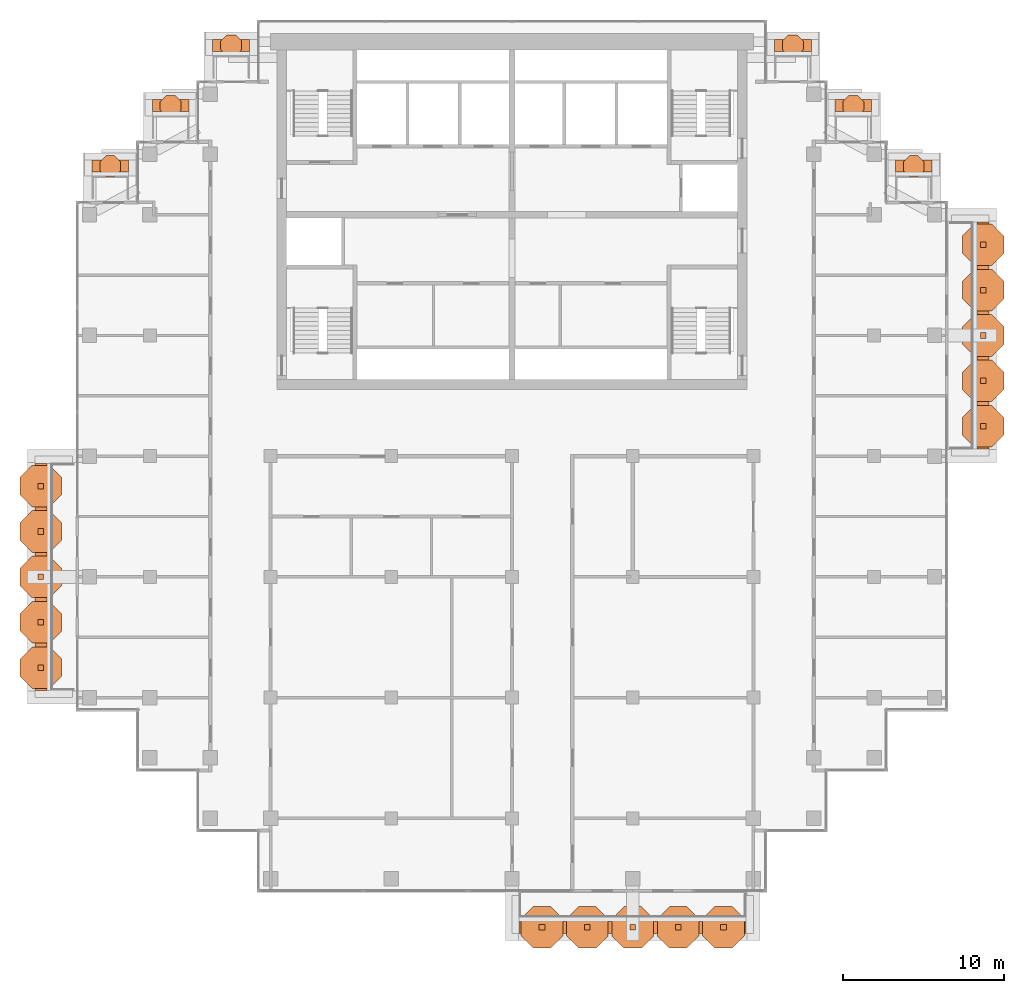
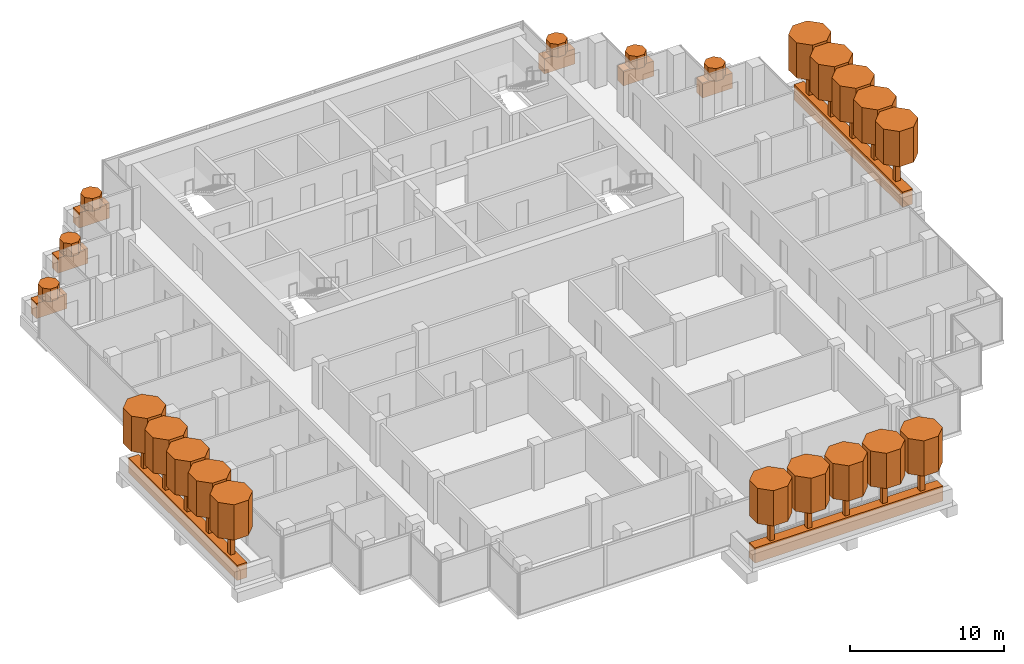
# One storey, part 19 of 19: 45 geographic elements.
"""IFC4 building model written with IfcOpenShell, lengths in metres."""

import ifcopenshell
import ifcopenshell.guid

model = None  # the IFC model being written
_history = None  # IfcOwnerHistory: only IFC2X3 demands one
_inside = {}  # id of a spatial element -> (the spatial element, [elements in it])
_under = {}  # id of a project, library or spatial element -> (it, [spatial elements below it])
_declared = {}  # id of a project -> (the project, [libraries it declares])
_typed = {}  # id of a type object -> (the type object, [elements of that type])
_made_of = {}  # id of a material, layer set ... -> (it, [elements and type objects made of it])


def new_model(schema):
    """Start an empty IFC model of exactly this schema.

    Asked for "IFC4X3", IfcOpenShell would pick the latest addendum, in which some entities
    have other attributes; the version numbers below select the first issue.
    IFC2X3 requires an IfcOwnerHistory on every rooted entity: one is made here for all.
    """
    global model, _history
    if schema == "IFC4X3":
        model = ifcopenshell.file(schema_version=(4, 3, 0, 0))
    else:
        model = ifcopenshell.file(schema=schema)
    _inside.clear()
    _under.clear()
    _declared.clear()
    _typed.clear()
    _made_of.clear()
    _history = None
    if model.schema == "IFC2X3":
        org = make("IfcOrganization", Name="unknown")
        user = make(
            "IfcPersonAndOrganization",
            ThePerson=make("IfcPerson", FamilyName="unknown"),
            TheOrganization=org,
        )
        app = make(
            "IfcApplication",
            ApplicationDeveloper=org,
            Version="unknown",
            ApplicationFullName="unknown",
            ApplicationIdentifier="unknown",
        )
        _history = make(
            "IfcOwnerHistory",
            OwningUser=user,
            OwningApplication=app,
            ChangeAction="ADDED",
            CreationDate=0,
        )
    return model


def make(cls, **values):
    """One entity of the class cls with the attributes given. An attribute that is None is left unset."""
    return model.create_entity(
        cls, **{name: value for name, value in values.items() if value is not None}
    )


def rooted(cls, **values):
    """An entity with a GlobalId (a new one), such as an element, a storey or a relation."""
    return make(cls, GlobalId=ifcopenshell.guid.new(), OwnerHistory=_history, **values)


def si_unit(unit_type, name, prefix=None):
    """IfcSIUnit, for example si_unit("LENGTHUNIT", "METRE", prefix="MILLI")."""
    return make("IfcSIUnit", UnitType=unit_type, Prefix=prefix, Name=name)


def assignment(units):
    """IfcUnitAssignment: the units of a project."""
    return None if units is None else make("IfcUnitAssignment", Units=units)


def point(xyz):
    """IfcCartesianPoint."""
    return None if xyz is None else make("IfcCartesianPoint", Coordinates=xyz)


def direction(xyz):
    """IfcDirection."""
    return None if xyz is None else make("IfcDirection", DirectionRatios=xyz)


def frame(location, z_axis=None, x_axis=None):
    """IfcAxis2Placement3D, a coordinate frame: its origin and axes. An axis left out is left unset."""
    return make(
        "IfcAxis2Placement3D",
        Location=point(location),
        Axis=direction(z_axis),
        RefDirection=direction(x_axis),
    )


def frame_2d(location, x_axis=None):
    """IfcAxis2Placement2D, a coordinate frame in the plane: its origin and x axis."""
    return make(
        "IfcAxis2Placement2D", Location=point(location), RefDirection=direction(x_axis)
    )


def origin():
    """The frame at (0, 0, 0) with its axes left unset."""
    return frame((0.0, 0.0, 0.0))


def origin_2d():
    """The frame at (0, 0) in the plane with its x axis left unset."""
    return frame_2d((0.0, 0.0))


def place(relative_to, where):
    """IfcLocalPlacement: puts the frame where relative to a parent placement (None: the world)."""
    return make(
        "IfcLocalPlacement", PlacementRelTo=relative_to, RelativePlacement=where
    )


def context(
    kind, dimensions, precision=None, world=None, true_north=None, identifier=None
):
    """IfcGeometricRepresentationContext, for example the 3D "Model" context."""
    return make(
        "IfcGeometricRepresentationContext",
        ContextIdentifier=identifier,
        ContextType=kind,
        CoordinateSpaceDimension=dimensions,
        Precision=precision,
        WorldCoordinateSystem=world,
        TrueNorth=true_north,
    )


def subcontext(parent, identifier, kind, view, scale=None):
    """IfcGeometricRepresentationSubContext, for example "Body" below "Model"."""
    return make(
        "IfcGeometricRepresentationSubContext",
        ContextIdentifier=identifier,
        ContextType=kind,
        ParentContext=parent,
        TargetScale=scale,
        TargetView=view,
    )


def project(units=None, contexts=None):
    """IfcProject with its units and contexts."""
    return rooted(
        "IfcProject",
        Name="project",
        RepresentationContexts=contexts,
        UnitsInContext=assignment(units),
    )


def spatial(cls, under=None, at=None, **own):
    """A site, building, storey or space (cls), placed at a placement, below another one or the project."""
    s = rooted(cls, ObjectPlacement=at, **own)
    if under is not None:
        _under.setdefault(under.id(), (under, []))[1].append(s)
    return s


def polyline(points):
    """IfcPolyline through the points."""
    return make("IfcPolyline", Points=[point(p) for p in points])


def profile(cls, at=None, kind="AREA", **sizes):
    """A parametric profile (cls). Its sizes go by their IFC names, for example OverallWidth=200.0."""
    return make(cls, ProfileType=kind, Position=at, **sizes)


def rectangle(**sizes):
    """IfcRectangleProfileDef."""
    return profile("IfcRectangleProfileDef", **sizes)


def outline(outer, holes=None, kind="AREA"):
    """IfcArbitraryClosedProfileDef: a profile drawn as a closed curve; with holes, ...WithVoids."""
    if holes is None:
        return make("IfcArbitraryClosedProfileDef", ProfileType=kind, OuterCurve=outer)
    return make(
        "IfcArbitraryProfileDefWithVoids",
        ProfileType=kind,
        OuterCurve=outer,
        InnerCurves=holes,
    )


def extrude(swept, where, along, depth):
    """IfcExtrudedAreaSolid: the profile swept, set in the frame where, extruded along a direction by depth."""
    return make(
        "IfcExtrudedAreaSolid",
        SweptArea=swept,
        Position=where,
        ExtrudedDirection=direction(along),
        Depth=depth,
    )


def shape(context_of_items, identifier, shape_type, items):
    """IfcShapeRepresentation: the items that make up one representation, for example the "Body"."""
    return make(
        "IfcShapeRepresentation",
        ContextOfItems=context_of_items,
        RepresentationIdentifier=identifier,
        RepresentationType=shape_type,
        Items=items,
    )


def material(Name=None, Category=None):
    """IfcMaterial."""
    return make("IfcMaterial", Name=Name, Category=Category)


def material_profile(
    of_material, cross_section, Name=None, Category=None, Priority=None
):
    """IfcMaterialProfile: a cross section and its material."""
    return make(
        "IfcMaterialProfile",
        Name=Name,
        Material=of_material,
        Profile=cross_section,
        Priority=Priority,
        Category=Category,
    )


def profile_set(profiles, Name=None, composite=None):
    """IfcMaterialProfileSet."""
    return make(
        "IfcMaterialProfileSet",
        Name=Name,
        MaterialProfiles=profiles,
        CompositeProfile=composite,
    )


def made_of(thing, what):
    """Note that an element or type object is made of a material, layer set ...; save() writes the relation."""
    if what is not None:
        _made_of.setdefault(what.id(), (what, []))[1].append(thing)
    return thing


def type_object(cls, material=None, **own):
    """A type object (cls), such as IfcWallType, which elements share."""
    return made_of(rooted(cls, **own), material)


def element(
    cls,
    number,
    at=None,
    inside=None,
    cuts=None,
    type_object=None,
    material=None,
    context=None,
    identifier="Body",
    shape_type=None,
    held_by="IfcProductDefinitionShape",
    body=None,
    shapes=None,
    **own,
):
    """One element of the class cls, such as IfcWall. Its Tag is "e" and its number.

    at: its placement. inside: the storey or other place that contains it. cuts: it is an
    opening in that element (IfcRelVoidsElement). A single representation is given by context,
    identifier, shape_type and body (its items); several are given by shapes. held_by: the class
    of the entity that holds the representations. save() writes the other relations.
    """
    e = rooted(cls, Tag="e%d" % number, ObjectPlacement=at, **own)
    if body is not None:
        shapes = [shape(context, identifier, shape_type, body)]
    if shapes is not None:
        e.Representation = make(held_by, Representations=shapes)
    if inside is not None:
        _inside.setdefault(inside.id(), (inside, []))[1].append(e)
    if cuts is not None:
        rooted(
            "IfcRelVoidsElement", RelatingBuildingElement=cuts, RelatedOpeningElement=e
        )
    if type_object is not None:
        _typed.setdefault(type_object.id(), (type_object, []))[1].append(e)
    return made_of(e, material)


def aggregate(whole, parts):
    """IfcRelAggregates: a whole, such as a stair, and the parts it consists of."""
    return rooted("IfcRelAggregates", RelatingObject=whole, RelatedObjects=parts)


def save(model, path):
    """Write the relations noted so far, then the file.

    IfcRelAggregates (storeys below a building ...), IfcRelContainedInSpatialStructure (elements
    in a storey), IfcRelDefinesByType, IfcRelAssociatesMaterial and IfcRelDeclares: one each for
    every whole, place, type object, material and project.
    """
    for whole, parts in _under.values():
        aggregate(whole, parts)
    for where, things in _inside.values():
        rooted(
            "IfcRelContainedInSpatialStructure",
            RelatedElements=things,
            RelatingStructure=where,
        )
    for kind, things in _typed.values():
        rooted("IfcRelDefinesByType", RelatedObjects=things, RelatingType=kind)
    for what, things in _made_of.values():
        rooted("IfcRelAssociatesMaterial", RelatedObjects=things, RelatingMaterial=what)
    for by, libraries in _declared.values():
        rooted("IfcRelDeclares", RelatingContext=by, RelatedDefinitions=libraries)
    model.write(path)


model = new_model("IFC4")

# Units and contexts
model_context = context("Model", 3, precision=1e-05, world=origin(), true_north=direction((0.0, 1.0)))
body_context = subcontext(model_context, "Body", "Model", "MODEL_VIEW")
ifc_project = project(units=[si_unit("LENGTHUNIT", "METRE"), si_unit("AREAUNIT", "SQUARE_METRE"), si_unit("VOLUMEUNIT", "CUBIC_METRE"), si_unit("PLANEANGLEUNIT", "RADIAN"), si_unit("MASSUNIT", "GRAM", prefix="KILO")], contexts=[model_context])

# Site, building, storey
site_placement = place(None, origin())
site = spatial("IfcSite", under=ifc_project, at=site_placement, CompositionType="ELEMENT")
building_placement = place(site_placement, origin())
building = spatial("IfcBuilding", under=site, at=building_placement, Name="Pilkhan Gate Tower", CompositionType="ELEMENT")
storey_placement = place(building_placement, frame((0.0, 0.0, 246.300048828125)))
storey = spatial("IfcBuildingStorey", under=building, at=storey_placement, Name="L64", CompositionType="ELEMENT", Elevation=246.300048828125)

# Geographic elements
ifc_material_1 = material(Name="Foliage")
ifc_material_profile_1 = material_profile(ifc_material_1, rectangle(XDim=0.75, YDim=1.199951171875, at=origin_2d()), Name="Bed 750x1200")
ifc_profile_set_1 = profile_set([ifc_material_profile_1], Name="Foliage")
geographic_element_type_1 = type_object("IfcGeographicElementType", Name="Planting bed PB1", PredefinedType="USERDEFINED", material=ifc_profile_set_1)
for number, where, z_axis, x_axis, name in (
    (1, (75.449951171875, 38.22509765625, 0.599853515625), (1.0, 0.0, 0.0), (0.0, 1.0, 0.0), "Balcony L64 S planting bed"),
    (2, (104.27490234375, 67.949951171875, 0.599853515625), (0.0, 1.0, 0.0), (-1.0, 0.0, 0.0), "Balcony L64 E planting bed"),
):
    element("IfcGeographicElement", number, at=place(storey_placement, frame(where, z_axis=z_axis, x_axis=x_axis)), inside=storey, type_object=geographic_element_type_1, Name=name, ObjectType="PLANTING BED", PredefinedType="USERDEFINED", context=body_context, shape_type="SweptSolid", body=[
        extrude(rectangle(XDim=0.75, YDim=1.199951171875, at=origin_2d()), origin(), (0.0, 0.0, 1.0), 14.10009765625),
    ])
for number, where, z_axis, x_axis, name in (
    (3, (56.39990234375, 93.02490234375, 0.599853515625), (1.0, 0.0, 0.0), (0.0, 1.0, 0.0), "Balcony L64 N planting bed"),
    (4, (91.300048828125, 93.02490234375, 0.599853515625), (1.0, 0.0, 0.0), (0.0, 1.0, 0.0), "Balcony L64 N planting bed"),
):
    element("IfcGeographicElement", number, at=place(storey_placement, frame(where, z_axis=z_axis, x_axis=x_axis)), inside=storey, type_object=geographic_element_type_1, Name=name, ObjectType="PLANTING BED", PredefinedType="USERDEFINED", context=body_context, shape_type="SweptSolid", body=[
        extrude(rectangle(XDim=0.75, YDim=1.199951171875, at=origin_2d()), origin(), (0.0, 0.0, 1.0), 2.300048828125),
    ])
for number, where, z_axis, x_axis, name in (
    (5, (52.64990234375, 89.27490234375, 0.599853515625), (1.0, 0.0, 0.0), (0.0, 1.0, 0.0), "Balcony L64 N planting bed"),
    (6, (48.89990234375, 85.52490234375, 0.599853515625), (1.0, 0.0, 0.0), (0.0, 1.0, 0.0), "Balcony L64 N planting bed"),
    (7, (95.070068359375, 89.27490234375, 0.599853515625), (1.0, 0.0, 0.0), (0.0, 1.0, 0.0), "Balcony L64 N planting bed"),
    (8, (98.820068359375, 85.52490234375, 0.599853515625), (1.0, 0.0, 0.0), (0.0, 1.0, 0.0), "Balcony L64 N planting bed"),
):
    element("IfcGeographicElement", number, at=place(storey_placement, frame(where, z_axis=z_axis, x_axis=x_axis)), inside=storey, type_object=geographic_element_type_1, Name=name, ObjectType="PLANTING BED", PredefinedType="USERDEFINED", context=body_context, shape_type="SweptSolid", body=[
        extrude(rectangle(XDim=0.75, YDim=1.199951171875, at=origin_2d()), origin(), (0.0, 0.0, 1.0), 2.280029296875),
    ])
geographic_element_placement = place(storey_placement, frame((45.72509765625, 52.949951171875, 0.599853515625), z_axis=(0.0, 1.0, 0.0), x_axis=(-1.0, 0.0, 0.0)))
element("IfcGeographicElement", 9, at=geographic_element_placement, inside=storey, type_object=geographic_element_type_1, Name="Balcony L64 W planting bed", ObjectType="PLANTING BED", PredefinedType="USERDEFINED", context=body_context, shape_type="SweptSolid", body=[
    extrude(rectangle(XDim=0.75, YDim=1.199951171875, at=origin_2d()), origin(), (0.0, 0.0, 1.0), 14.10009765625),
])
ifc_material_profile_2 = material_profile(ifc_material_1, outline(polyline([(0.646728515625, 0.267822265625), (0.267822265625, 0.646728515625), (-0.267822265625, 0.646728515625), (-0.646728515625, 0.267822265625), (-0.646728515625, -0.267822265625), (-0.267822265625, -0.646728515625), (0.267822265625, -0.646728515625), (0.646728515625, -0.267822265625), (0.646728515625, 0.267822265625)])), Name="Shrub D1.4")
ifc_profile_set_2 = profile_set([ifc_material_profile_2], Name="Foliage")
geographic_element_type_2 = type_object("IfcGeographicElementType", Name="Shrub SH07", PredefinedType="USERDEFINED", material=ifc_profile_set_2)
for number, where, z_axis, x_axis, name in (
    (10, (57.550048828125, 93.02490234375, 1.199951171875), (0.0, 0.0, 1.0), (1.0, 0.0, 0.0), "Shrub L64 N 1"),
    (11, (92.449951171875, 93.02490234375, 1.199951171875), (0.0, 0.0, 1.0), (1.0, 0.0, 0.0), "Shrub L64 N 1"),
    (12, (53.7900390625, 89.27490234375, 1.199951171875), (0.0, 0.0, 1.0), (1.0, 0.0, 0.0), "Shrub L64 N 1"),
    (13, (50.0400390625, 85.52490234375, 1.199951171875), (0.0, 0.0, 1.0), (1.0, 0.0, 0.0), "Shrub L64 N 1"),
    (14, (96.2099609375, 89.27490234375, 1.199951171875), (0.0, 0.0, 1.0), (1.0, 0.0, 0.0), "Shrub L64 N 1"),
    (15, (99.9599609375, 85.52490234375, 1.199951171875), (0.0, 0.0, 1.0), (1.0, 0.0, 0.0), "Shrub L64 N 1"),
):
    element("IfcGeographicElement", number, at=place(storey_placement, frame(where, z_axis=z_axis, x_axis=x_axis)), inside=storey, type_object=geographic_element_type_2, Name=name, ObjectType="SHRUB", PredefinedType="USERDEFINED", context=body_context, shape_type="SweptSolid", body=[
        extrude(outline(polyline([(0.646728515625, 0.267822265625), (0.267822265625, 0.646728515625), (-0.267822265625, 0.646728515625), (-0.646728515625, 0.267822265625), (-0.646728515625, -0.267822265625), (-0.267822265625, -0.646728515625), (0.267822265625, -0.646728515625), (0.646728515625, -0.267822265625), (0.646728515625, 0.267822265625)])), origin(), (0.0, 0.0, 1.0), 1.0),
    ])
ifc_material_profile_3 = material_profile(ifc_material_1, outline(polyline([(1.29345703125, 0.535888671875), (0.535888671875, 1.29345703125), (-0.535888671875, 1.29345703125), (-1.29345703125, 0.535888671875), (-1.29345703125, -0.535888671875), (-0.535888671875, -1.29345703125), (0.535888671875, -1.29345703125), (1.29345703125, -0.535888671875), (1.29345703125, 0.535888671875)])), Name="Canopy D2.8")
ifc_profile_set_3 = profile_set([ifc_material_profile_3], Name="Foliage")
geographic_element_type_3 = type_object("IfcGeographicElementType", Name="Tree canopy TC14", PredefinedType="USERDEFINED", material=ifc_profile_set_3)
for number, where, z_axis, x_axis, name in (
    (16, (76.860107421875, 38.22509765625, 3.199951171875), (0.0, 0.0, 1.0), (1.0, 0.0, 0.0), "Tree L64 S 1 canopy"),
    (17, (79.679931640625, 38.22509765625, 3.199951171875), (0.0, 0.0, 1.0), (1.0, 0.0, 0.0), "Tree L64 S 2 canopy"),
    (18, (82.5, 38.22509765625, 3.199951171875), (0.0, 0.0, 1.0), (1.0, 0.0, 0.0), "Tree L64 S 3 canopy"),
    (19, (85.320068359375, 38.22509765625, 3.199951171875), (0.0, 0.0, 1.0), (1.0, 0.0, 0.0), "Tree L64 S 4 canopy"),
    (20, (88.139892578125, 38.22509765625, 3.199951171875), (0.0, 0.0, 1.0), (1.0, 0.0, 0.0), "Tree L64 S 5 canopy"),
    (21, (104.27490234375, 69.360107421875, 3.199951171875), (0.0, 0.0, 1.0), (1.0, 0.0, 0.0), "Tree L64 E 1 canopy"),
    (22, (104.27490234375, 72.179931640625, 3.199951171875), (0.0, 0.0, 1.0), (1.0, 0.0, 0.0), "Tree L64 E 2 canopy"),
    (23, (104.27490234375, 75.0, 3.199951171875), (0.0, 0.0, 1.0), (1.0, 0.0, 0.0), "Tree L64 E 3 canopy"),
    (24, (104.27490234375, 77.820068359375, 3.199951171875), (0.0, 0.0, 1.0), (1.0, 0.0, 0.0), "Tree L64 E 4 canopy"),
    (25, (104.27490234375, 80.639892578125, 3.199951171875), (0.0, 0.0, 1.0), (1.0, 0.0, 0.0), "Tree L64 E 5 canopy"),
    (26, (45.72509765625, 54.360107421875, 3.199951171875), (0.0, 0.0, 1.0), (1.0, 0.0, 0.0), "Tree L64 W 1 canopy"),
    (27, (45.72509765625, 57.179931640625, 3.199951171875), (0.0, 0.0, 1.0), (1.0, 0.0, 0.0), "Tree L64 W 2 canopy"),
    (28, (45.72509765625, 60.0, 3.199951171875), (0.0, 0.0, 1.0), (1.0, 0.0, 0.0), "Tree L64 W 3 canopy"),
    (29, (45.72509765625, 62.820068359375, 3.199951171875), (0.0, 0.0, 1.0), (1.0, 0.0, 0.0), "Tree L64 W 4 canopy"),
    (30, (45.72509765625, 65.639892578125, 3.199951171875), (0.0, 0.0, 1.0), (1.0, 0.0, 0.0), "Tree L64 W 5 canopy"),
):
    element("IfcGeographicElement", number, at=place(storey_placement, frame(where, z_axis=z_axis, x_axis=x_axis)), inside=storey, type_object=geographic_element_type_3, Name=name, ObjectType="TREE", PredefinedType="USERDEFINED", context=body_context, shape_type="SweptSolid", body=[
        extrude(outline(polyline([(1.29345703125, 0.535888671875), (0.535888671875, 1.29345703125), (-0.535888671875, 1.29345703125), (-1.29345703125, 0.535888671875), (-1.29345703125, -0.535888671875), (-0.535888671875, -1.29345703125), (0.535888671875, -1.29345703125), (1.29345703125, -0.535888671875), (1.29345703125, 0.535888671875)])), origin(), (0.0, 0.0, 1.0), 2.800048828125),
    ])
ifc_material_2 = material(Name="Timber trunk", Category="wood")
geographic_element_type_4 = type_object("IfcGeographicElementType", Name="Tree trunk TT1", PredefinedType="USERDEFINED", material=ifc_material_2)
for number, where, z_axis, x_axis, name in (
    (31, (76.860107421875, 38.22509765625, 1.199951171875), (0.0, 0.0, 1.0), (1.0, 0.0, 0.0), "Tree L64 S 1 trunk"),
    (32, (79.679931640625, 38.22509765625, 1.199951171875), (0.0, 0.0, 1.0), (1.0, 0.0, 0.0), "Tree L64 S 2 trunk"),
    (33, (82.5, 38.22509765625, 1.199951171875), (0.0, 0.0, 1.0), (1.0, 0.0, 0.0), "Tree L64 S 3 trunk"),
    (34, (85.320068359375, 38.22509765625, 1.199951171875), (0.0, 0.0, 1.0), (1.0, 0.0, 0.0), "Tree L64 S 4 trunk"),
    (35, (88.139892578125, 38.22509765625, 1.199951171875), (0.0, 0.0, 1.0), (1.0, 0.0, 0.0), "Tree L64 S 5 trunk"),
    (36, (104.27490234375, 69.360107421875, 1.199951171875), (0.0, 0.0, 1.0), (1.0, 0.0, 0.0), "Tree L64 E 1 trunk"),
    (37, (104.27490234375, 72.179931640625, 1.199951171875), (0.0, 0.0, 1.0), (1.0, 0.0, 0.0), "Tree L64 E 2 trunk"),
    (38, (104.27490234375, 75.0, 1.199951171875), (0.0, 0.0, 1.0), (1.0, 0.0, 0.0), "Tree L64 E 3 trunk"),
    (39, (104.27490234375, 77.820068359375, 1.199951171875), (0.0, 0.0, 1.0), (1.0, 0.0, 0.0), "Tree L64 E 4 trunk"),
    (40, (104.27490234375, 80.639892578125, 1.199951171875), (0.0, 0.0, 1.0), (1.0, 0.0, 0.0), "Tree L64 E 5 trunk"),
    (41, (45.72509765625, 54.360107421875, 1.199951171875), (0.0, 0.0, 1.0), (1.0, 0.0, 0.0), "Tree L64 W 1 trunk"),
    (42, (45.72509765625, 57.179931640625, 1.199951171875), (0.0, 0.0, 1.0), (1.0, 0.0, 0.0), "Tree L64 W 2 trunk"),
    (43, (45.72509765625, 60.0, 1.199951171875), (0.0, 0.0, 1.0), (1.0, 0.0, 0.0), "Tree L64 W 3 trunk"),
    (44, (45.72509765625, 62.820068359375, 1.199951171875), (0.0, 0.0, 1.0), (1.0, 0.0, 0.0), "Tree L64 W 4 trunk"),
    (45, (45.72509765625, 65.639892578125, 1.199951171875), (0.0, 0.0, 1.0), (1.0, 0.0, 0.0), "Tree L64 W 5 trunk"),
):
    element("IfcGeographicElement", number, at=place(storey_placement, frame(where, z_axis=z_axis, x_axis=x_axis)), inside=storey, type_object=geographic_element_type_4, Name=name, ObjectType="TREE", PredefinedType="USERDEFINED", context=body_context, shape_type="SweptSolid", body=[
        extrude(rectangle(XDim=0.35009765625, YDim=0.35009765625, at=origin_2d()), origin(), (0.0, 0.0, 1.0), 2.0),
    ])

save(model, "model.ifc")
